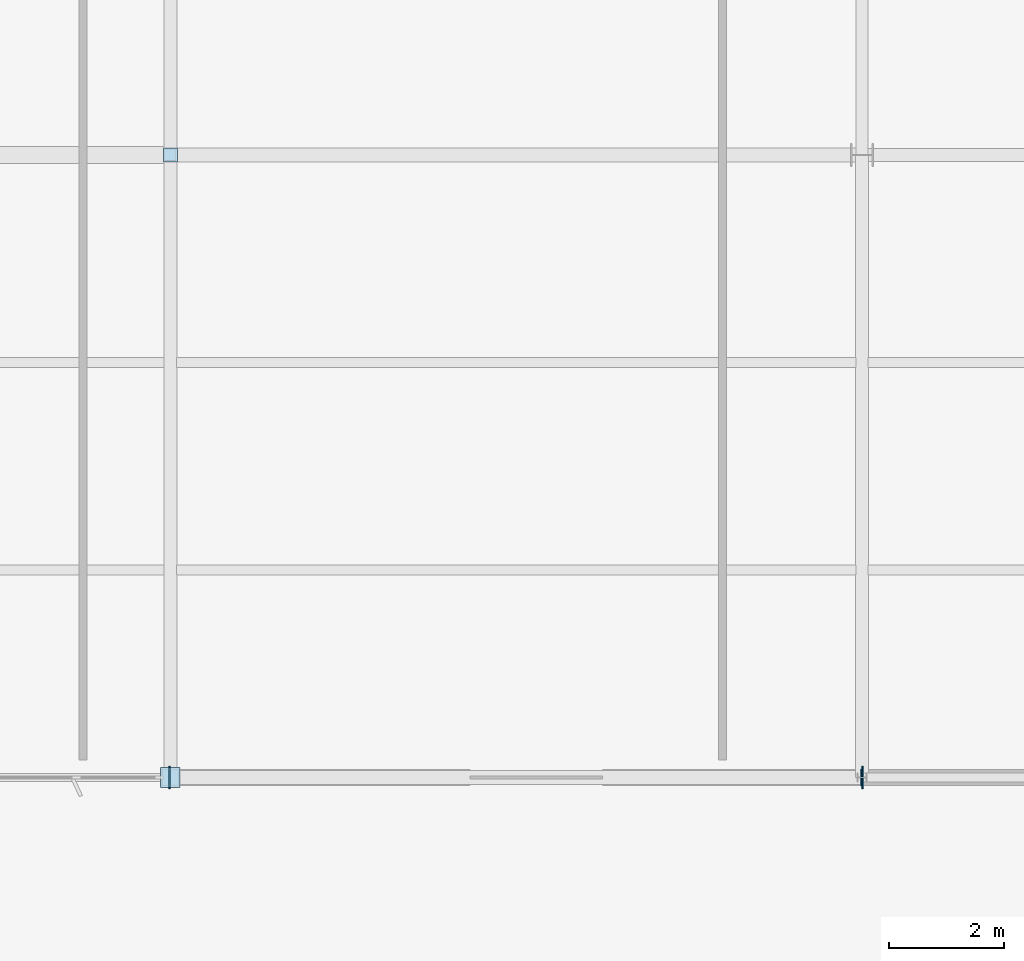
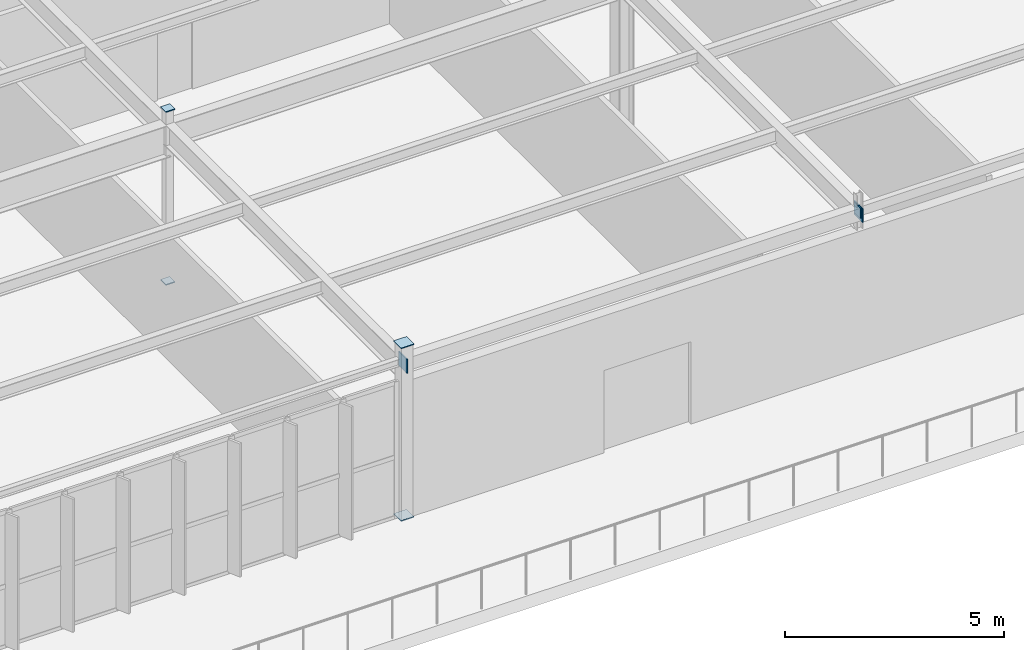
# One storey, part 146 of 199: 7 plates.
"""IFC4 building model written with IfcOpenShell, lengths in metres."""

from ifc_helpers import new_model, si_unit, direction, frame, origin, origin_2d, place, context, subcontext, project, spatial, rectangle, extrude, material, layer, layer_set, type_object, element, save


model = new_model("IFC4")

# Units and contexts
model_context = context("Model", 3, precision=1e-05, world=origin(), true_north=direction((0.0, 1.0)))
body_context = subcontext(model_context, "Body", "Model", "MODEL_VIEW")
ifc_project = project(units=[si_unit("LENGTHUNIT", "METRE"), si_unit("AREAUNIT", "SQUARE_METRE"), si_unit("VOLUMEUNIT", "CUBIC_METRE"), si_unit("PLANEANGLEUNIT", "RADIAN"), si_unit("MASSUNIT", "GRAM", prefix="KILO")], contexts=[model_context])

# Site, building, storey
site_placement = place(None, origin())
site = spatial("IfcSite", under=ifc_project, at=site_placement, CompositionType="ELEMENT")
building_placement = place(site_placement, origin())
building = spatial("IfcBuilding", under=site, at=building_placement, Name="Tarnwether General Hospital", CompositionType="ELEMENT")
storey_placement = place(building_placement, origin())
storey = spatial("IfcBuildingStorey", under=building, at=storey_placement, Name="L00", CompositionType="ELEMENT", Elevation=0.0)

# Plates
ifc_material = material(Name="Steel Grade 350 (350 MPa)", Category="steel")
ifc_layer = layer(ifc_material, 0.02490234375)
ifc_layer_set = layer_set([ifc_layer], Name="Steel Grade 350 (350 MPa)")
plate_type = type_object("IfcPlateType", Name="PT-GUS2", PredefinedType="USERDEFINED", material=ifc_layer_set)
for number, where, z_axis, x_axis, name in (
    (1, (168.0, 0.0, -0.02490234375), (0.0, 0.0, 1.0), (1.0, 0.0, 0.0), "Hollow Section Welded End Cap Plate 0363"),
    (2, (168.0, 0.0, 4.800048828125), (0.0, 0.0, 1.0), (1.0, 0.0, 0.0), "Hollow Section Welded End Cap Plate 0364"),
):
    element("IfcPlate", number, at=place(storey_placement, frame(where, z_axis=z_axis, x_axis=x_axis)), inside=storey, type_object=plate_type, Name=name, ObjectType="GUSSET", PredefinedType="USERDEFINED", context=body_context, shape_type="SweptSolid", body=[
        extrude(rectangle(XDim=0.340087890625, YDim=0.340087890625, at=origin_2d()), origin(), (0.0, 0.0, 1.0), 0.02490234375),
    ])
for number, where, z_axis, x_axis, name in (
    (3, (168.0, 10.800048828125, -0.02490234375), (0.0, 0.0, 1.0), (1.0, 0.0, 0.0), "Hollow Section Welded End Cap Plate 0369"),
    (4, (168.0, 10.800048828125, 4.800048828125), (0.0, 0.0, 1.0), (1.0, 0.0, 0.0), "Hollow Section Welded End Cap Plate 0370"),
):
    element("IfcPlate", number, at=place(storey_placement, frame(where, z_axis=z_axis, x_axis=x_axis)), inside=storey, type_object=plate_type, Name=name, ObjectType="GUSSET", PredefinedType="USERDEFINED", context=body_context, shape_type="SweptSolid", body=[
        extrude(rectangle(XDim=0.239990234375, YDim=0.239990234375, at=origin_2d()), origin(), (0.0, 0.0, 1.0), 0.02490234375),
    ])
for number, where, z_axis, x_axis, name in (
    (5, (167.987548828125, 0.0, 4.0751953125), (0.0, 0.0, 1.0), (1.0, 0.0, 0.0), "Hollow Section Welded End Cap Plate 0893"),
    (6, (180.012451171875, 0.0, 4.0751953125), (0.0, 0.0, 1.0), (1.0, 0.0, 0.0), "Hollow Section Welded End Cap Plate 0894"),
):
    element("IfcPlate", number, at=place(storey_placement, frame(where, z_axis=z_axis, x_axis=x_axis)), inside=storey, type_object=plate_type, Name=name, ObjectType="GUSSET", PredefinedType="USERDEFINED", context=body_context, shape_type="SweptSolid", body=[
        extrude(rectangle(XDim=0.02490234375, YDim=0.389892578125, at=origin_2d()), origin(), (0.0, 0.0, 1.0), 0.389892578125),
    ])
plate_placement = place(storey_placement, frame((179.987548828125, 0.0, 4.175048828125), z_axis=(0.0, 0.0, 1.0), x_axis=(1.0, 0.0, 0.0)))
element("IfcPlate", 7, at=plate_placement, inside=storey, type_object=plate_type, Name="Hollow Section Welded End Cap Plate 0895", ObjectType="GUSSET", PredefinedType="USERDEFINED", context=body_context, shape_type="SweptSolid", body=[
    extrude(rectangle(XDim=0.02490234375, YDim=0.2900390625, at=origin_2d()), origin(), (0.0, 0.0, 1.0), 0.2900390625),
])

save(model, "model.ifc")
